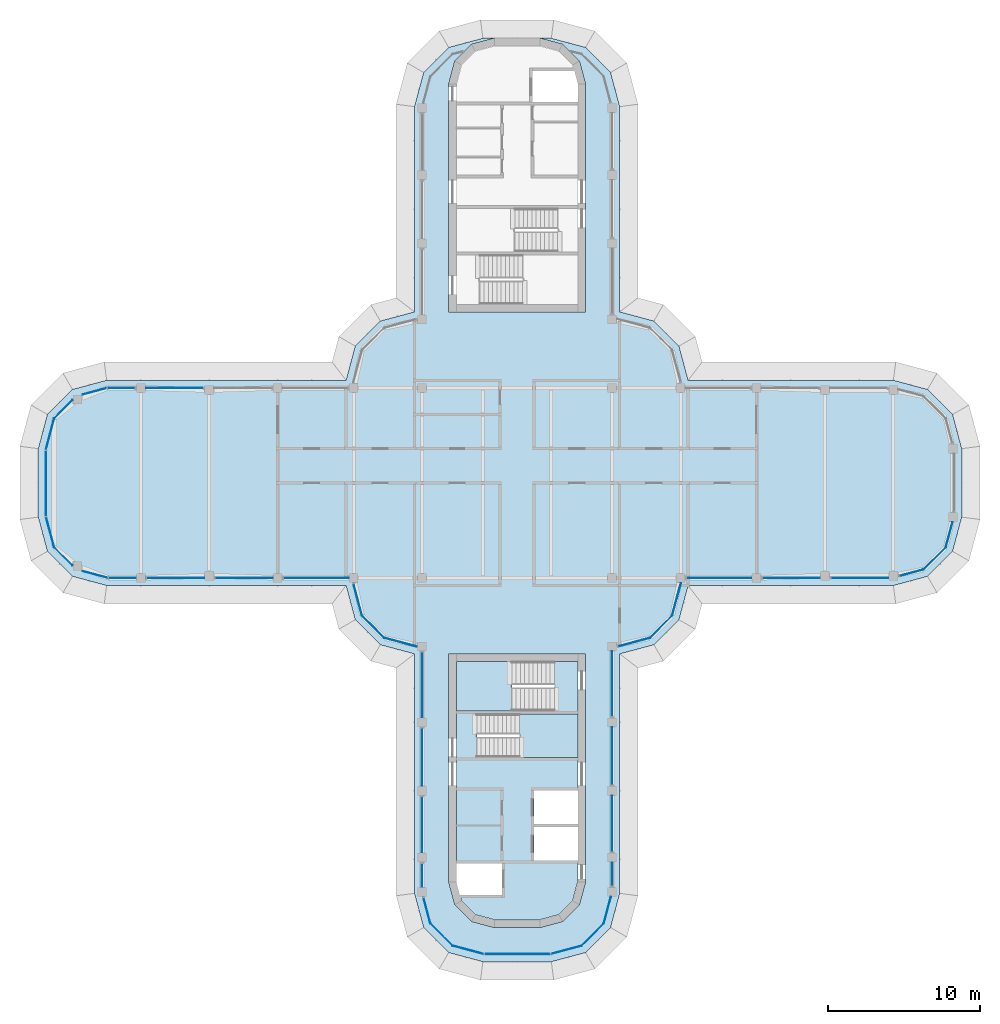
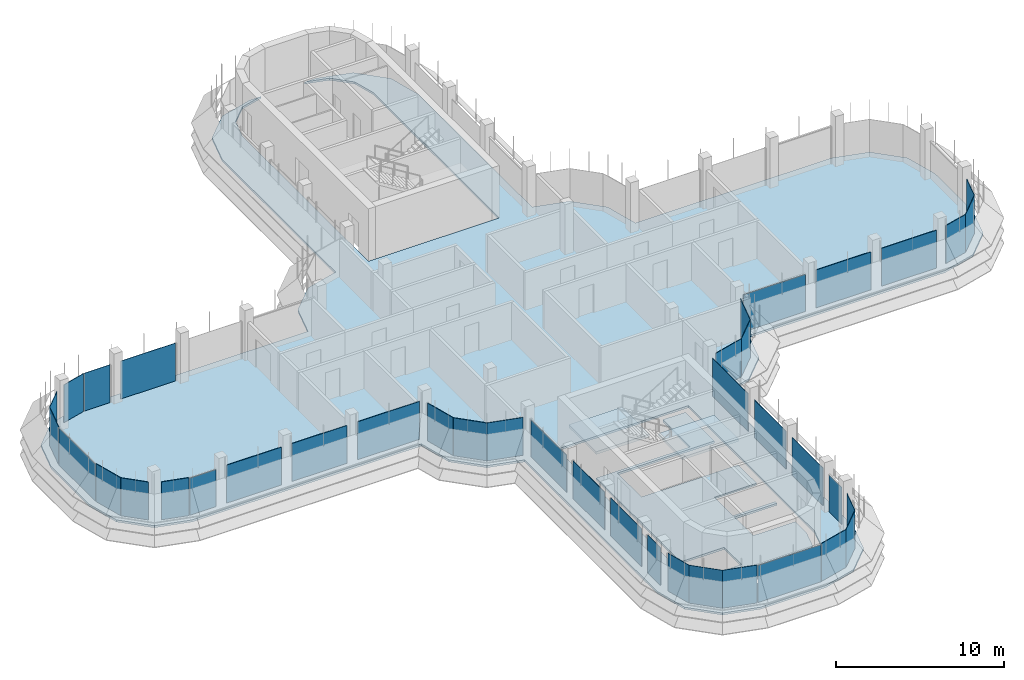
# One storey, part 11 of 19: 40 plates, 4 slabs, 30 elements without a shape of their own.
"""IFC4 building model written with IfcOpenShell, lengths in metres."""

from ifc_helpers import new_model, si_unit, direction, frame, origin, place, context, subcontext, project, spatial, polyline, outline, extrude, source, transform, mapped, material, layer, layer_set, type_object, element, aggregate, save


model = new_model("IFC4")

# Units and contexts
model_context = context("Model", 3, precision=1e-05, world=origin(), true_north=direction((0.0, 1.0)))
body_context = subcontext(model_context, "Body", "Model", "MODEL_VIEW")
ifc_project = project(units=[si_unit("LENGTHUNIT", "METRE"), si_unit("AREAUNIT", "SQUARE_METRE"), si_unit("VOLUMEUNIT", "CUBIC_METRE"), si_unit("PLANEANGLEUNIT", "RADIAN"), si_unit("MASSUNIT", "GRAM", prefix="KILO")], contexts=[model_context])

# Site, building, storey
site_placement = place(None, origin())
site = spatial("IfcSite", under=ifc_project, at=site_placement, CompositionType="ELEMENT")
building_placement = place(site_placement, origin())
building = spatial("IfcBuilding", under=site, at=building_placement, Name="Zarbagh Exchange Tower", CompositionType="ELEMENT")
storey_placement = place(building_placement, frame((0.0, 0.0, 253.60009765625)))
storey = spatial("IfcBuildingStorey", under=building, at=storey_placement, Name="L62", CompositionType="ELEMENT", Elevation=253.60009765625)

# Slabs
ifc_material_1 = material(Name="Concrete C40/50", Category="concrete")
ifc_layer_1 = layer(ifc_material_1, 0.14990234375)
ifc_layer_set_1 = layer_set([ifc_layer_1], Name="Composite floor slab 150 C40/50")
slab_type_1 = type_object("IfcSlabType", Name="Composite floor slab 150 C40/50", PredefinedType="FLOOR", material=ifc_layer_set_1)
slab_1_placement = place(storey_placement, frame((0.0, 0.0, -0.150146484375)))
element("IfcSlab", 1, at=slab_1_placement, inside=storey, type_object=slab_type_1, Name="S5 composite floor slab", PredefinedType="FLOOR", context=body_context, shape_type="SweptSolid", body=[
    extrude(outline(polyline([(-2.25, -31.5), (-4.5, -30.897216796875), (-6.147216796875, -29.25), (-6.75, -27.0), (-6.75, -11.25), (-9.0, -10.647216796875), (-10.647216796875, -9.0), (-11.25, -6.75), (-27.0, -6.75), (-29.25, -6.147216796875), (-30.897216796875, -4.5), (-31.5, -2.25), (-31.5, 2.25), (-30.897216796875, 4.5), (-29.25, 6.147216796875), (-27.0, 6.75), (-11.25, 6.75), (-10.647216796875, 9.0), (-9.0, 10.647216796875), (-6.75, 11.25), (-6.75, 24.75), (-6.147216796875, 27.0), (-4.5, 28.647216796875), (-2.25, 29.25), (-1.5, 29.25), (-3.0, 28.84814453125), (-4.09814453125, 27.75), (-4.5, 26.25), (-4.5, 11.25), (4.5, 11.25), (4.5, 26.25), (4.09814453125, 27.75), (3.0, 28.84814453125), (1.5, 29.25), (2.25, 29.25), (4.5, 28.647216796875), (6.147216796875, 27.0), (6.75, 24.75), (6.75, 11.25), (9.0, 10.647216796875), (10.647216796875, 9.0), (11.25, 6.75), (24.75, 6.75), (27.0, 6.147216796875), (28.647216796875, 4.5), (29.25, 2.25), (29.25, -2.25), (28.647216796875, -4.5), (27.0, -6.147216796875), (24.75, -6.75), (11.25, -6.75), (10.647216796875, -9.0), (9.0, -10.647216796875), (6.75, -11.25), (6.75, -27.0), (6.147216796875, -29.25), (4.5, -30.897216796875), (2.25, -31.5), (-2.25, -31.5)]), holes=[polyline([(-1.5, -29.25), (1.5, -29.25), (3.0, -28.84814453125), (4.09814453125, -27.75), (4.5, -26.25), (4.5, -11.25), (-4.5, -11.25), (-4.5, -26.25), (-4.09814453125, -27.75), (-3.0, -28.84814453125), (-1.5, -29.25)])]), origin(), (0.0, 0.0, 1.0), 0.150146484375),
])
ifc_layer_2 = layer(ifc_material_1, 0.14990234375)
ifc_layer_set_2 = layer_set([ifc_layer_2], Name="Core floor slab 150 C40/50")
slab_type_2 = type_object("IfcSlabType", Name="Core floor slab 150 C40/50", PredefinedType="FLOOR", material=ifc_layer_set_2)
slab_2_placement = place(storey_placement, frame((0.0, 0.0, -0.150146484375)))
element("IfcSlab", 2, at=slab_2_placement, inside=storey, type_object=slab_type_2, Name="S17 core S", PredefinedType="FLOOR", context=body_context, shape_type="SweptSolid", body=[
    extrude(outline(polyline([(-2.7412109375, -28.39990234375), (-3.64990234375, -27.4912109375), (-3.857666015625, -26.715087890625), (-3.754638671875, -27.10009765625), (-1.0, -27.10009765625), (-1.0, -25.050048828125), (-4.0, -25.050048828125), (-4.0, -15.0), (2.449951171875, -15.0), (2.449951171875, -11.75), (4.0, -11.75), (4.0, -15.199951171875), (-2.64990234375, -15.199951171875), (-2.64990234375, -18.050048828125), (4.0, -18.050048828125), (4.0, -20.25), (1.10009765625, -20.25), (1.10009765625, -22.449951171875), (4.0, -22.449951171875), (4.0, -22.64990234375), (1.10009765625, -22.64990234375), (1.10009765625, -24.85009765625), (4.0, -24.85009765625), (4.0, -26.18408203125), (3.64990234375, -27.4912109375), (2.7412109375, -28.39990234375), (1.43408203125, -28.75), (-1.43408203125, -28.75), (-2.7412109375, -28.39990234375)])), origin(), (0.0, 0.0, 1.0), 0.150146484375),
])

# Stair, slab
stair_type = type_object("IfcStairType", Name="Exit stair two-flight half-turn", PredefinedType="HALF_TURN_STAIR", material=ifc_material_1)
stair_1_placement = place(storey_placement, origin())
stair_1 = element("IfcStair", 3, at=stair_1_placement, inside=storey, type_object=stair_type, Name="exit stair ST3", PredefinedType="HALF_TURN_STAIR")
ifc_layer_3 = layer(ifc_material_1, 0.199951171875)
ifc_layer_set_3 = layer_set([ifc_layer_3], Name="Stair landing 200 mm")
slab_type_3 = type_object("IfcSlabType", Name="Stair landing 200 mm", PredefinedType="LANDING", material=ifc_layer_set_3)
slab_3_placement = place(storey_placement, frame((0.0, 0.0, 1.699951171875)))
slab_3 = element("IfcSlab", 4, at=slab_3_placement, type_object=slab_type_3, Name="ST3 landing 1", PredefinedType="LANDING", context=body_context, shape_type="SweptSolid", body=[
    extrude(outline(polyline([(0.14990234375, -18.050048828125), (4.0, -18.050048828125), (4.0, -15.199951171875), (0.14990234375, -15.199951171875), (0.14990234375, -18.050048828125)])), origin(), (0.0, 0.0, 1.0), 0.199951171875),
])
aggregate(stair_1, [slab_3])

stair_2_placement = place(storey_placement, origin())
stair_2 = element("IfcStair", 5, at=stair_2_placement, inside=storey, type_object=stair_type, Name="exit stair ST4", PredefinedType="HALF_TURN_STAIR")
slab_4_placement = place(storey_placement, frame((0.0, 0.0, 1.699951171875)))
slab_4 = element("IfcSlab", 6, at=slab_4_placement, type_object=slab_type_3, Name="ST4 landing 1", PredefinedType="LANDING", context=body_context, shape_type="SweptSolid", body=[
    extrude(outline(polyline([(-0.35009765625, -11.75), (-4.0, -11.75), (-4.0, -15.0), (-0.35009765625, -15.0), (-0.35009765625, -11.75)])), origin(), (0.0, 0.0, 1.0), 0.199951171875),
])
aggregate(stair_2, [slab_4])

# Curtain wall, plate
ifc_material_2 = material(Name="Anodised aluminium frame and glazing", Category="aluminium")
curtain_wall_type = type_object("IfcCurtainWallType", Name="CWB Ribbon glazing, upper zones", PredefinedType="NOTDEFINED", material=ifc_material_2)
curtain_wall_1_placement = place(storey_placement, origin())
curtain_wall_1 = element("IfcCurtainWall", 7, at=curtain_wall_1_placement, inside=storey, type_object=curtain_wall_type, Name="CWB50 curtain wall", PredefinedType="NOTDEFINED")
ifc_material_3 = material(Name="Low-e double glazed unit, 6+12+6 mm")
ifc_layer_4 = layer(ifc_material_3, 0.031982421875)
ifc_layer_set_4 = layer_set([ifc_layer_4], Name="PAB Glazing panel, Low-e double glazed unit, 6+12+6 mm")
plate_type = type_object("IfcPlateType", Name="PAB Glazing panel, Low-e double glazed unit, 6+12+6 mm", PredefinedType="CURTAIN_PANEL", material=ifc_layer_set_4)
shared_shape_1 = source(origin(), body_context, "Body", "SweptSolid", [
    extrude(outline(polyline([(0.0, -0.01611328125), (2.061279296875, -0.01611328125), (2.061279296875, 0.01611328125), (0.0, 0.01611328125), (0.0, -0.01611328125)])), origin(), (0.0, 0.0, 1.0), 2.75),
])
placement = place(storey_placement, origin())
plate_1 = element("IfcPlate", 8, at=placement, type_object=plate_type, Name="CWB50 glazing panel 1.1", PredefinedType="CURTAIN_PANEL", context=body_context, shape_type="MappedRepresentation", body=[
    mapped(shared_shape_1, transform((4.2412109375, -30.44873046875, 0.0), x_axis=(0.707106781187, 0.707106781187, 0.0), y_axis=(-0.707106781187, 0.707106781187, 0.0), z_axis=(0.0, 0.0, 1.0))),
])
aggregate(curtain_wall_1, [plate_1])

curtain_wall_2_placement = place(storey_placement, origin())
curtain_wall_2 = element("IfcCurtainWall", 9, at=curtain_wall_2_placement, inside=storey, type_object=curtain_wall_type, Name="CWB06 curtain wall", PredefinedType="NOTDEFINED")
plate_2 = element("IfcPlate", 10, at=placement, type_object=plate_type, Name="CWB06 glazing panel 1.1", PredefinedType="CURTAIN_PANEL", context=body_context, shape_type="MappedRepresentation", body=[
    mapped(shared_shape_1, transform((8.7412109375, -10.19873046875, 0.0), x_axis=(0.707106781187, 0.707106781187, 0.0), y_axis=(-0.707106781187, 0.707106781187, 0.0), z_axis=(0.0, 0.0, 1.0))),
])
aggregate(curtain_wall_2, [plate_2])

curtain_wall_3_placement = place(storey_placement, origin())
curtain_wall_3 = element("IfcCurtainWall", 11, at=curtain_wall_3_placement, inside=storey, type_object=curtain_wall_type, Name="CWB77 curtain wall", PredefinedType="NOTDEFINED")
plate_3 = element("IfcPlate", 12, at=placement, type_object=plate_type, Name="CWB77 glazing panel 1.1", PredefinedType="CURTAIN_PANEL", context=body_context, shape_type="MappedRepresentation", body=[
    mapped(shared_shape_1, transform((26.7412109375, -5.69873046875, 0.0), x_axis=(0.707106781187, 0.707106781187, 0.0), y_axis=(-0.707106781187, 0.707106781187, 0.0), z_axis=(0.0, 0.0, 1.0))),
])
aggregate(curtain_wall_3, [plate_3])

curtain_wall_4_placement = place(storey_placement, origin())
curtain_wall_4 = element("IfcCurtainWall", 13, at=curtain_wall_4_placement, inside=storey, type_object=curtain_wall_type, Name="CWB42 curtain wall", PredefinedType="NOTDEFINED")
plate_4 = element("IfcPlate", 14, at=placement, type_object=plate_type, Name="CWB42 glazing panel 1.1", PredefinedType="CURTAIN_PANEL", context=body_context, shape_type="MappedRepresentation", body=[
    mapped(shared_shape_1, transform((-10.19873046875, -8.7412109375, 0.0), x_axis=(0.707106781187, -0.707106781187, 0.0), y_axis=(0.707106781187, 0.707106781187, 0.0), z_axis=(0.0, 0.0, 1.0))),
])
aggregate(curtain_wall_4, [plate_4])

curtain_wall_5_placement = place(storey_placement, origin())
curtain_wall_5 = element("IfcCurtainWall", 15, at=curtain_wall_5_placement, inside=storey, type_object=curtain_wall_type, Name="CWB55 curtain wall", PredefinedType="NOTDEFINED")
plate_5 = element("IfcPlate", 16, at=placement, type_object=plate_type, Name="CWB55 glazing panel 1.1", PredefinedType="CURTAIN_PANEL", context=body_context, shape_type="MappedRepresentation", body=[
    mapped(shared_shape_1, transform((-5.69873046875, -28.9912109375, 0.0), x_axis=(0.707106781187, -0.707106781187, 0.0), y_axis=(0.707106781187, 0.707106781187, 0.0), z_axis=(0.0, 0.0, 1.0))),
])
aggregate(curtain_wall_5, [plate_5])

curtain_wall_6_placement = place(storey_placement, origin())
curtain_wall_6 = element("IfcCurtainWall", 17, at=curtain_wall_6_placement, inside=storey, type_object=curtain_wall_type, Name="CWB61 curtain wall", PredefinedType="NOTDEFINED")
shared_shape_2 = source(origin(), body_context, "Body", "SweptSolid", [
    extrude(outline(polyline([(0.0, -0.01611328125), (2.129638671875, -0.01611328125), (2.129638671875, 0.01611328125), (0.0, 0.01611328125), (0.0, -0.01611328125)])), origin(), (0.0, 0.0, 1.0), 2.75),
])
plate_6 = element("IfcPlate", 18, at=placement, type_object=plate_type, Name="CWB61 glazing panel 1.1", PredefinedType="CURTAIN_PANEL", context=body_context, shape_type="MappedRepresentation", body=[
    mapped(shared_shape_2, transform((-30.44873046875, 4.2412109375, 0.0), x_axis=(-0.258824779902, -0.965924289636, 0.0), y_axis=(0.965924289636, -0.258824779902, 0.0), z_axis=(0.0, 0.0, 1.0))),
])
aggregate(curtain_wall_6, [plate_6])

curtain_wall_7_placement = place(storey_placement, origin())
curtain_wall_7 = element("IfcCurtainWall", 19, at=curtain_wall_7_placement, inside=storey, type_object=curtain_wall_type, Name="CWB56 curtain wall", PredefinedType="NOTDEFINED")
plate_7 = element("IfcPlate", 20, at=placement, type_object=plate_type, Name="CWB56 glazing panel 1.1", PredefinedType="CURTAIN_PANEL", context=body_context, shape_type="MappedRepresentation", body=[
    mapped(shared_shape_2, transform((-4.2412109375, -30.44873046875, 0.0), x_axis=(0.965924289636, -0.258824779902, 0.0), y_axis=(0.258824779902, 0.965924289636, 0.0), z_axis=(0.0, 0.0, 1.0))),
])
aggregate(curtain_wall_7, [plate_7])

curtain_wall_8_placement = place(storey_placement, origin())
curtain_wall_8 = element("IfcCurtainWall", 21, at=curtain_wall_8_placement, inside=storey, type_object=curtain_wall_type, Name="CWB65 curtain wall", PredefinedType="NOTDEFINED")
shared_shape_3 = source(origin(), body_context, "Body", "SweptSolid", [
    extrude(outline(polyline([(0.0, -0.01611328125), (1.7841796875, -0.01611328125), (1.7841796875, 0.01611328125), (0.0, 0.01611328125), (0.0, -0.01611328125)])), origin(), (0.0, 0.0, 1.0), 2.68994140625),
])
plate_8 = element("IfcPlate", 22, at=placement, type_object=plate_type, Name="CWB65 glazing panel 1.1", PredefinedType="CURTAIN_PANEL", context=body_context, shape_type="MappedRepresentation", body=[
    mapped(shared_shape_3, transform((-26.874267578125, -6.25, 0.0), x_axis=(1.0, 0.0, 0.0), y_axis=(0.0, 1.0, 0.0), z_axis=(0.0, 0.0, 1.0))),
])

curtain_wall_9_placement = place(storey_placement, origin())
curtain_wall_9 = element("IfcCurtainWall", 23, at=curtain_wall_9_placement, inside=storey, type_object=curtain_wall_type, Name="CWB66 curtain wall", PredefinedType="NOTDEFINED")
shared_shape_4 = source(origin(), body_context, "Body", "SweptSolid", [
    extrude(outline(polyline([(0.0, -0.01611328125), (4.308349609375, -0.01611328125), (4.308349609375, 0.01611328125), (0.0, 0.01611328125), (0.0, -0.01611328125)])), origin(), (0.0, 0.0, 1.0), 2.68994140625),
])
plate_9 = element("IfcPlate", 24, at=placement, type_object=plate_type, Name="CWB66 glazing panel 1.1", PredefinedType="CURTAIN_PANEL", context=body_context, shape_type="MappedRepresentation", body=[
    mapped(shared_shape_4, transform((-31.0, 2.124267578125, 0.0), x_axis=(0.0, -1.0, 0.0), y_axis=(1.0, 0.0, 0.0), z_axis=(0.0, 0.0, 1.0))),
])
aggregate(curtain_wall_9, [plate_9])

curtain_wall_10_placement = place(storey_placement, origin())
curtain_wall_10 = element("IfcCurtainWall", 25, at=curtain_wall_10_placement, inside=storey, type_object=curtain_wall_type, Name="CWB57 curtain wall", PredefinedType="NOTDEFINED")
plate_10 = element("IfcPlate", 26, at=placement, type_object=plate_type, Name="CWB57 glazing panel 1.1", PredefinedType="CURTAIN_PANEL", context=body_context, shape_type="MappedRepresentation", body=[
    mapped(shared_shape_4, transform((-2.124267578125, -31.0, 0.0), x_axis=(1.0, 0.0, 0.0), y_axis=(0.0, 1.0, 0.0), z_axis=(0.0, 0.0, 1.0))),
])
aggregate(curtain_wall_10, [plate_10])

curtain_wall_11_placement = place(storey_placement, origin())
curtain_wall_11 = element("IfcCurtainWall", 27, at=curtain_wall_11_placement, inside=storey, type_object=curtain_wall_type, Name="CWB49 curtain wall", PredefinedType="NOTDEFINED")
shared_shape_5 = source(origin(), body_context, "Body", "SweptSolid", [
    extrude(outline(polyline([(0.0, -0.01611328125), (2.069580078125, -0.01611328125), (2.069580078125, 0.01611328125), (0.0, 0.01611328125), (0.0, -0.01611328125)])), origin(), (0.0, 0.0, 1.0), 2.75),
])
plate_11 = element("IfcPlate", 28, at=placement, type_object=plate_type, Name="CWB49 glazing panel 1.1", PredefinedType="CURTAIN_PANEL", context=body_context, shape_type="MappedRepresentation", body=[
    mapped(shared_shape_5, transform((2.2421875, -30.984375, 0.0), x_axis=(0.965924289636, 0.258824779902, 0.0), y_axis=(-0.258824779902, 0.965924289636, 0.0), z_axis=(0.0, 0.0, 1.0))),
])
aggregate(curtain_wall_11, [plate_11])

curtain_wall_12_placement = place(storey_placement, origin())
curtain_wall_12 = element("IfcCurtainWall", 29, at=curtain_wall_12_placement, inside=storey, type_object=curtain_wall_type, Name="CWB62 curtain wall", PredefinedType="NOTDEFINED")
plate_12 = element("IfcPlate", 30, at=placement, type_object=plate_type, Name="CWB62 glazing panel 1.1", PredefinedType="CURTAIN_PANEL", context=body_context, shape_type="MappedRepresentation", body=[
    mapped(shared_shape_5, transform((-30.984375, -2.2421875, 0.0), x_axis=(0.258824779902, -0.965924289636, 0.0), y_axis=(0.965924289636, 0.258824779902, 0.0), z_axis=(0.0, 0.0, 1.0))),
])
aggregate(curtain_wall_12, [plate_12])

curtain_wall_13_placement = place(storey_placement, origin())
curtain_wall_13 = element("IfcCurtainWall", 31, at=curtain_wall_13_placement, inside=storey, type_object=curtain_wall_type, Name="CWB58 curtain wall", PredefinedType="NOTDEFINED")
shared_shape_6 = source(origin(), body_context, "Body", "SweptSolid", [
    extrude(outline(polyline([(0.0, -0.01611328125), (1.7841796875, -0.01611328125), (1.7841796875, 0.01611328125), (0.0, 0.01611328125), (0.0, -0.01611328125)])), origin(), (0.0, 0.0, 1.0), 2.75),
])
plate_13 = element("IfcPlate", 32, at=placement, type_object=plate_type, Name="CWB58 glazing panel 4.1", PredefinedType="CURTAIN_PANEL", context=body_context, shape_type="MappedRepresentation", body=[
    mapped(shared_shape_6, transform((-25.150146484375, 6.25, 0.0), x_axis=(-1.0, 0.0, 0.0), y_axis=(0.0, -1.0, 0.0), z_axis=(0.0, 0.0, 1.0))),
])

curtain_wall_14_placement = place(storey_placement, origin())
curtain_wall_14 = element("IfcCurtainWall", 33, at=curtain_wall_14_placement, inside=storey, type_object=curtain_wall_type, Name="CWB78 curtain wall", PredefinedType="NOTDEFINED")
shared_shape_7 = source(origin(), body_context, "Body", "SweptSolid", [
    extrude(outline(polyline([(0.0, -0.01611328125), (1.70947265625, -0.01611328125), (1.70947265625, 0.01611328125), (0.0, 0.01611328125), (0.0, -0.01611328125)])), origin(), (0.0, 0.0, 1.0), 2.75),
])
plate_14 = element("IfcPlate", 34, at=placement, type_object=plate_type, Name="CWB78 glazing panel 1.1", PredefinedType="CURTAIN_PANEL", context=body_context, shape_type="MappedRepresentation", body=[
    mapped(shared_shape_7, transform((28.19873046875, -4.2412109375, 0.0), x_axis=(0.258824779902, 0.965924289636, 0.0), y_axis=(-0.965924289636, 0.258824779902, 0.0), z_axis=(0.0, 0.0, 1.0))),
])
aggregate(curtain_wall_14, [plate_14])

curtain_wall_15_placement = place(storey_placement, origin())
curtain_wall_15 = element("IfcCurtainWall", 35, at=curtain_wall_15_placement, inside=storey, type_object=curtain_wall_type, Name="CWB76 curtain wall", PredefinedType="NOTDEFINED")
shared_shape_8 = source(origin(), body_context, "Body", "SweptSolid", [
    extrude(outline(polyline([(0.0, -0.01611328125), (1.6494140625, -0.01611328125), (1.6494140625, 0.01611328125), (0.0, 0.01611328125), (0.0, -0.01611328125)])), origin(), (0.0, 0.0, 1.0), 2.75),
])
plate_15 = element("IfcPlate", 36, at=placement, type_object=plate_type, Name="CWB76 glazing panel 1.1", PredefinedType="CURTAIN_PANEL", context=body_context, shape_type="MappedRepresentation", body=[
    mapped(shared_shape_8, transform((25.14794921875, -6.125732421875, 0.0), x_axis=(0.965924289636, 0.258824779902, 0.0), y_axis=(-0.258824779902, 0.965924289636, 0.0), z_axis=(0.0, 0.0, 1.0))),
])
aggregate(curtain_wall_15, [plate_15])

curtain_wall_16_placement = place(storey_placement, origin())
curtain_wall_16 = element("IfcCurtainWall", 37, at=curtain_wall_16_placement, inside=storey, type_object=curtain_wall_type, Name="CWB52 curtain wall", PredefinedType="NOTDEFINED")
shared_shape_9 = source(origin(), body_context, "Body", "SweptSolid", [
    extrude(outline(polyline([(0.0, -0.01611328125), (3.659912109375, -0.01611328125), (3.659912109375, 0.01611328125), (0.0, 0.01611328125), (0.0, -0.01611328125)])), origin(), (0.0, 0.0, 1.0), 2.75),
])
plate_16 = element("IfcPlate", 38, at=placement, type_object=plate_type, Name="CWB52 glazing panel 2.1", PredefinedType="CURTAIN_PANEL", context=body_context, shape_type="MappedRepresentation", body=[
    mapped(shared_shape_9, transform((6.25, -24.25, 0.0), x_axis=(0.0, 1.0, 0.0), y_axis=(-1.0, 0.0, 0.0), z_axis=(0.0, 0.0, 1.0))),
])

curtain_wall_17_placement = place(storey_placement, origin())
curtain_wall_17 = element("IfcCurtainWall", 39, at=curtain_wall_17_placement, inside=storey, type_object=curtain_wall_type, Name="CWB53 curtain wall", PredefinedType="NOTDEFINED")
plate_17 = element("IfcPlate", 40, at=placement, type_object=plate_type, Name="CWB53 glazing panel 3.1", PredefinedType="CURTAIN_PANEL", context=body_context, shape_type="MappedRepresentation", body=[
    mapped(shared_shape_9, transform((-6.25, -20.650146484375, 0.0), x_axis=(0.0, -1.0, 0.0), y_axis=(1.0, 0.0, 0.0), z_axis=(0.0, 0.0, 1.0))),
])

curtain_wall_18_placement = place(storey_placement, origin())
curtain_wall_18 = element("IfcCurtainWall", 41, at=curtain_wall_18_placement, inside=storey, type_object=curtain_wall_type, Name="CWB51 curtain wall", PredefinedType="NOTDEFINED")
shared_shape_10 = source(origin(), body_context, "Body", "SweptSolid", [
    extrude(outline(polyline([(0.0, -0.01611328125), (1.81298828125, -0.01611328125), (1.81298828125, 0.01611328125), (0.0, 0.01611328125), (0.0, -0.01611328125)])), origin(), (0.0, 0.0, 1.0), 2.75),
])
plate_18 = element("IfcPlate", 42, at=placement, type_object=plate_type, Name="CWB51 glazing panel 1.1", PredefinedType="CURTAIN_PANEL", context=body_context, shape_type="MappedRepresentation", body=[
    mapped(shared_shape_10, transform((5.69873046875, -28.9912109375, 0.0), x_axis=(0.258824779902, 0.965924289636, 0.0), y_axis=(-0.965924289636, 0.258824779902, 0.0), z_axis=(0.0, 0.0, 1.0))),
])
aggregate(curtain_wall_18, [plate_18])

# Plate
shared_shape_11 = source(origin(), body_context, "Body", "SweptSolid", [
    extrude(outline(polyline([(0.0, -0.01611328125), (1.510009765625, -0.01611328125), (1.510009765625, 0.01611328125), (0.0, 0.01611328125), (0.0, -0.01611328125)])), origin(), (0.0, 0.0, 1.0), 2.68994140625),
])
plate_19 = element("IfcPlate", 43, at=placement, type_object=plate_type, Name="CWB52 glazing panel 1.1", PredefinedType="CURTAIN_PANEL", context=body_context, shape_type="MappedRepresentation", body=[
    mapped(shared_shape_11, transform((6.25, -26.5, 0.0), x_axis=(0.0, 1.0, 0.0), y_axis=(-1.0, 0.0, 0.0), z_axis=(0.0, 0.0, 1.0))),
])

shared_shape_12 = source(origin(), body_context, "Body", "SweptSolid", [
    extrude(outline(polyline([(0.0, -0.01611328125), (3.760009765625, -0.01611328125), (3.760009765625, 0.01611328125), (0.0, 0.01611328125), (0.0, -0.01611328125)])), origin(), (0.0, 0.0, 1.0), 2.75),
])
plate_20 = element("IfcPlate", 44, at=placement, type_object=plate_type, Name="CWB52 glazing panel 3.1", PredefinedType="CURTAIN_PANEL", context=body_context, shape_type="MappedRepresentation", body=[
    mapped(shared_shape_12, transform((6.25, -19.849853515625, 0.0), x_axis=(0.0, 1.0, 0.0), y_axis=(-1.0, 0.0, 0.0), z_axis=(0.0, 0.0, 1.0))),
])

# Curtain wall, plates
curtain_wall_19_placement = place(storey_placement, origin())
curtain_wall_19 = element("IfcCurtainWall", 45, at=curtain_wall_19_placement, inside=storey, type_object=curtain_wall_type, Name="CWB75 curtain wall", PredefinedType="NOTDEFINED")
plate_21 = element("IfcPlate", 46, at=placement, type_object=plate_type, Name="CWB75 glazing panel 2.1", PredefinedType="CURTAIN_PANEL", context=body_context, shape_type="MappedRepresentation", body=[
    mapped(shared_shape_12, transform((16.150146484375, -6.25, 0.0), x_axis=(1.0, 0.0, 0.0), y_axis=(0.0, 1.0, 0.0), z_axis=(0.0, 0.0, 1.0))),
])
plate_22 = element("IfcPlate", 47, at=placement, type_object=plate_type, Name="CWB75 glazing panel 3.1", PredefinedType="CURTAIN_PANEL", context=body_context, shape_type="MappedRepresentation", body=[
    mapped(shared_shape_12, transform((20.650146484375, -6.25, 0.0), x_axis=(1.0, 0.0, 0.0), y_axis=(0.0, 1.0, 0.0), z_axis=(0.0, 0.0, 1.0))),
])

# Plate
plate_23 = element("IfcPlate", 48, at=placement, type_object=plate_type, Name="CWB58 glazing panel 3.1", PredefinedType="CURTAIN_PANEL", context=body_context, shape_type="MappedRepresentation", body=[
    mapped(shared_shape_12, transform((-20.650146484375, 6.25, 0.0), x_axis=(-1.0, 0.0, 0.0), y_axis=(0.0, -1.0, 0.0), z_axis=(0.0, 0.0, 1.0))),
])

aggregate(curtain_wall_13, [plate_23, plate_13])

plate_24 = element("IfcPlate", 49, at=placement, type_object=plate_type, Name="CWB65 glazing panel 2.1", PredefinedType="CURTAIN_PANEL", context=body_context, shape_type="MappedRepresentation", body=[
    mapped(shared_shape_12, transform((-24.349853515625, -6.25, 0.0), x_axis=(1.0, 0.0, 0.0), y_axis=(0.0, 1.0, 0.0), z_axis=(0.0, 0.0, 1.0))),
])

plate_25 = element("IfcPlate", 50, at=placement, type_object=plate_type, Name="CWB65 glazing panel 3.1", PredefinedType="CURTAIN_PANEL", context=body_context, shape_type="MappedRepresentation", body=[
    mapped(shared_shape_12, transform((-19.849853515625, -6.25, 0.0), x_axis=(1.0, 0.0, 0.0), y_axis=(0.0, 1.0, 0.0), z_axis=(0.0, 0.0, 1.0))),
])

plate_26 = element("IfcPlate", 51, at=placement, type_object=plate_type, Name="CWB53 glazing panel 2.1", PredefinedType="CURTAIN_PANEL", context=body_context, shape_type="MappedRepresentation", body=[
    mapped(shared_shape_12, transform((-6.25, -16.150146484375, 0.0), x_axis=(0.0, -1.0, 0.0), y_axis=(1.0, 0.0, 0.0), z_axis=(0.0, 0.0, 1.0))),
])

shared_shape_13 = source(origin(), body_context, "Body", "SweptSolid", [
    extrude(outline(polyline([(0.0, -0.01611328125), (4.260009765625, -0.01611328125), (4.260009765625, 0.01611328125), (0.0, 0.01611328125), (0.0, -0.01611328125)])), origin(), (0.0, 0.0, 1.0), 2.75),
])
plate_27 = element("IfcPlate", 52, at=placement, type_object=plate_type, Name="CWB52 glazing panel 4.1", PredefinedType="CURTAIN_PANEL", context=body_context, shape_type="MappedRepresentation", body=[
    mapped(shared_shape_13, transform((6.25, -15.349853515625, 0.0), x_axis=(0.0, 1.0, 0.0), y_axis=(-1.0, 0.0, 0.0), z_axis=(0.0, 0.0, 1.0))),
])

aggregate(curtain_wall_16, [plate_19, plate_16, plate_20, plate_27])

plate_28 = element("IfcPlate", 53, at=placement, type_object=plate_type, Name="CWB65 glazing panel 4.1", PredefinedType="CURTAIN_PANEL", context=body_context, shape_type="MappedRepresentation", body=[
    mapped(shared_shape_13, transform((-15.349853515625, -6.25, 0.0), x_axis=(1.0, 0.0, 0.0), y_axis=(0.0, 1.0, 0.0), z_axis=(0.0, 0.0, 1.0))),
])

aggregate(curtain_wall_8, [plate_8, plate_24, plate_25, plate_28])

# Curtain wall, plate
curtain_wall_20_placement = place(storey_placement, origin())
curtain_wall_20 = element("IfcCurtainWall", 54, at=curtain_wall_20_placement, inside=storey, type_object=curtain_wall_type, Name="CWB05 curtain wall", PredefinedType="NOTDEFINED")
shared_shape_14 = source(origin(), body_context, "Body", "SweptSolid", [
    extrude(outline(polyline([(0.0, -0.01611328125), (2.1669921875, -0.01611328125), (2.1669921875, 0.01611328125), (0.0, 0.01611328125), (0.0, -0.01611328125)])), origin(), (0.0, 0.0, 1.0), 2.75),
])
plate_29 = element("IfcPlate", 55, at=placement, type_object=plate_type, Name="CWB05 glazing panel 1.1", PredefinedType="CURTAIN_PANEL", context=body_context, shape_type="MappedRepresentation", body=[
    mapped(shared_shape_14, transform((6.64794921875, -10.759765625, 0.0), x_axis=(0.965924289636, 0.258824779902, 0.0), y_axis=(-0.258824779902, 0.965924289636, 0.0), z_axis=(0.0, 0.0, 1.0))),
])
aggregate(curtain_wall_20, [plate_29])

curtain_wall_21_placement = place(storey_placement, origin())
curtain_wall_21 = element("IfcCurtainWall", 56, at=curtain_wall_21_placement, inside=storey, type_object=curtain_wall_type, Name="CWB41 curtain wall", PredefinedType="NOTDEFINED")
plate_30 = element("IfcPlate", 57, at=placement, type_object=plate_type, Name="CWB41 glazing panel 1.1", PredefinedType="CURTAIN_PANEL", context=body_context, shape_type="MappedRepresentation", body=[
    mapped(shared_shape_14, transform((-10.759765625, -6.64794921875, 0.0), x_axis=(0.258824779902, -0.965924289636, 0.0), y_axis=(0.965924289636, 0.258824779902, 0.0), z_axis=(0.0, 0.0, 1.0))),
])
aggregate(curtain_wall_21, [plate_30])

curtain_wall_22_placement = place(storey_placement, origin())
curtain_wall_22 = element("IfcCurtainWall", 58, at=curtain_wall_22_placement, inside=storey, type_object=curtain_wall_type, Name="CWB07 curtain wall", PredefinedType="NOTDEFINED")
shared_shape_15 = source(origin(), body_context, "Body", "SweptSolid", [
    extrude(outline(polyline([(0.0, -0.01611328125), (2.22705078125, -0.01611328125), (2.22705078125, 0.01611328125), (0.0, 0.01611328125), (0.0, -0.01611328125)])), origin(), (0.0, 0.0, 1.0), 2.75),
])
plate_31 = element("IfcPlate", 59, at=placement, type_object=plate_type, Name="CWB07 glazing panel 1.1", PredefinedType="CURTAIN_PANEL", context=body_context, shape_type="MappedRepresentation", body=[
    mapped(shared_shape_15, transform((10.19873046875, -8.7412109375, 0.0), x_axis=(0.258824779902, 0.965924289636, 0.0), y_axis=(-0.965924289636, 0.258824779902, 0.0), z_axis=(0.0, 0.0, 1.0))),
])
aggregate(curtain_wall_22, [plate_31])

curtain_wall_23_placement = place(storey_placement, origin())
curtain_wall_23 = element("IfcCurtainWall", 60, at=curtain_wall_23_placement, inside=storey, type_object=curtain_wall_type, Name="CWB43 curtain wall", PredefinedType="NOTDEFINED")
plate_32 = element("IfcPlate", 61, at=placement, type_object=plate_type, Name="CWB43 glazing panel 1.1", PredefinedType="CURTAIN_PANEL", context=body_context, shape_type="MappedRepresentation", body=[
    mapped(shared_shape_15, transform((-8.7412109375, -10.19873046875, 0.0), x_axis=(0.965924289636, -0.258824779902, 0.0), y_axis=(0.258824779902, 0.965924289636, 0.0), z_axis=(0.0, 0.0, 1.0))),
])
aggregate(curtain_wall_23, [plate_32])

# Plate
shared_shape_16 = source(origin(), body_context, "Body", "SweptSolid", [
    extrude(outline(polyline([(0.0, -0.01611328125), (4.260009765625, -0.01611328125), (4.260009765625, 0.01611328125), (0.0, 0.01611328125), (0.0, -0.01611328125)])), origin(), (0.0, 0.0, 1.0), 2.68994140625),
])
plate_33 = element("IfcPlate", 62, at=placement, type_object=plate_type, Name="CWB75 glazing panel 1.1", PredefinedType="CURTAIN_PANEL", context=body_context, shape_type="MappedRepresentation", body=[
    mapped(shared_shape_16, transform((11.150146484375, -6.25, 0.0), x_axis=(1.0, 0.0, 0.0), y_axis=(0.0, 1.0, 0.0), z_axis=(0.0, 0.0, 1.0))),
])

aggregate(curtain_wall_19, [plate_33, plate_21, plate_22])

plate_34 = element("IfcPlate", 63, at=placement, type_object=plate_type, Name="CWB53 glazing panel 1.1", PredefinedType="CURTAIN_PANEL", context=body_context, shape_type="MappedRepresentation", body=[
    mapped(shared_shape_16, transform((-6.25, -11.150146484375, 0.0), x_axis=(0.0, -1.0, 0.0), y_axis=(1.0, 0.0, 0.0), z_axis=(0.0, 0.0, 1.0))),
])

# Curtain wall, plate
curtain_wall_24_placement = place(storey_placement, origin())
curtain_wall_24 = element("IfcCurtainWall", 64, at=curtain_wall_24_placement, inside=storey, type_object=curtain_wall_type, Name="CWB54 curtain wall", PredefinedType="NOTDEFINED")
shared_shape_17 = source(origin(), body_context, "Body", "SweptSolid", [
    extrude(outline(polyline([(0.0, -0.01611328125), (1.7529296875, -0.01611328125), (1.7529296875, 0.01611328125), (0.0, 0.01611328125), (0.0, -0.01611328125)])), origin(), (0.0, 0.0, 1.0), 2.75),
])
plate_35 = element("IfcPlate", 65, at=placement, type_object=plate_type, Name="CWB54 glazing panel 1.1", PredefinedType="CURTAIN_PANEL", context=body_context, shape_type="MappedRepresentation", body=[
    mapped(shared_shape_17, transform((-6.152587890625, -27.2978515625, 0.0), x_axis=(0.258824779902, -0.965924289636, 0.0), y_axis=(0.965924289636, 0.258824779902, 0.0), z_axis=(0.0, 0.0, 1.0))),
])
aggregate(curtain_wall_24, [plate_35])

curtain_wall_25_placement = place(storey_placement, origin())
curtain_wall_25 = element("IfcCurtainWall", 66, at=curtain_wall_25_placement, inside=storey, type_object=curtain_wall_type, Name="CWB59 curtain wall", PredefinedType="NOTDEFINED")
shared_shape_18 = source(origin(), body_context, "Body", "SweptSolid", [
    extrude(outline(polyline([(0.0, -0.01611328125), (1.631591796875, -0.01611328125), (1.631591796875, 0.01611328125), (0.0, 0.01611328125), (0.0, -0.01611328125)])), origin(), (0.0, 0.0, 1.0), 2.75),
])
plate_36 = element("IfcPlate", 67, at=placement, type_object=plate_type, Name="CWB59 glazing panel 1.1", PredefinedType="CURTAIN_PANEL", context=body_context, shape_type="MappedRepresentation", body=[
    mapped(shared_shape_18, transform((-26.9921875, 6.234375, 0.0), x_axis=(-0.965924289636, -0.258824779902, 0.0), y_axis=(0.258824779902, -0.965924289636, 0.0), z_axis=(0.0, 0.0, 1.0))),
])
aggregate(curtain_wall_25, [plate_36])

curtain_wall_26_placement = place(storey_placement, origin())
curtain_wall_26 = element("IfcCurtainWall", 68, at=curtain_wall_26_placement, inside=storey, type_object=curtain_wall_type, Name="CWB60 curtain wall", PredefinedType="NOTDEFINED")
shared_shape_19 = source(origin(), body_context, "Body", "SweptSolid", [
    extrude(outline(polyline([(0.0, -0.01611328125), (1.6982421875, -0.01611328125), (1.6982421875, 0.01611328125), (0.0, 0.01611328125), (0.0, -0.01611328125)])), origin(), (0.0, 0.0, 1.0), 2.75),
])
plate_37 = element("IfcPlate", 69, at=placement, type_object=plate_type, Name="CWB60 glazing panel 1.1", PredefinedType="CURTAIN_PANEL", context=body_context, shape_type="MappedRepresentation", body=[
    mapped(shared_shape_19, transform((-29.248046875, 5.44189453125, 0.0), x_axis=(-0.707106781187, -0.707106781187, 0.0), y_axis=(0.707106781187, -0.707106781187, 0.0), z_axis=(0.0, 0.0, 1.0))),
])
aggregate(curtain_wall_26, [plate_37])

curtain_wall_27_placement = place(storey_placement, origin())
curtain_wall_27 = element("IfcCurtainWall", 70, at=curtain_wall_27_placement, inside=storey, type_object=curtain_wall_type, Name="CWB63 curtain wall", PredefinedType="NOTDEFINED")
plate_38 = element("IfcPlate", 71, at=placement, type_object=plate_type, Name="CWB63 glazing panel 1.1", PredefinedType="CURTAIN_PANEL", context=body_context, shape_type="MappedRepresentation", body=[
    mapped(shared_shape_19, transform((-30.44873046875, -4.2412109375, 0.0), x_axis=(0.707106781187, -0.707106781187, 0.0), y_axis=(0.707106781187, 0.707106781187, 0.0), z_axis=(0.0, 0.0, 1.0))),
])
aggregate(curtain_wall_27, [plate_38])

curtain_wall_28_placement = place(storey_placement, origin())
curtain_wall_28 = element("IfcCurtainWall", 72, at=curtain_wall_28_placement, inside=storey, type_object=curtain_wall_type, Name="CWB64 curtain wall", PredefinedType="NOTDEFINED")
shared_shape_20 = source(origin(), body_context, "Body", "SweptSolid", [
    extrude(outline(polyline([(0.0, -0.01611328125), (1.69140625, -0.01611328125), (1.69140625, 0.01611328125), (0.0, 0.01611328125), (0.0, -0.01611328125)])), origin(), (0.0, 0.0, 1.0), 2.75),
])
plate_39 = element("IfcPlate", 73, at=placement, type_object=plate_type, Name="CWB64 glazing panel 1.1", PredefinedType="CURTAIN_PANEL", context=body_context, shape_type="MappedRepresentation", body=[
    mapped(shared_shape_20, transform((-28.568115234375, -5.812255859375, 0.0), x_axis=(0.965924289636, -0.258824779902, 0.0), y_axis=(0.258824779902, 0.965924289636, 0.0), z_axis=(0.0, 0.0, 1.0))),
])
aggregate(curtain_wall_28, [plate_39])

# Plate
shared_shape_21 = source(origin(), body_context, "Body", "SweptSolid", [
    extrude(outline(polyline([(0.0, -0.01611328125), (1.510009765625, -0.01611328125), (1.510009765625, 0.01611328125), (0.0, 0.01611328125), (0.0, -0.01611328125)])), origin(), (0.0, 0.0, 1.0), 2.75),
])
plate_40 = element("IfcPlate", 74, at=placement, type_object=plate_type, Name="CWB53 glazing panel 4.1", PredefinedType="CURTAIN_PANEL", context=body_context, shape_type="MappedRepresentation", body=[
    mapped(shared_shape_21, transform((-6.25, -25.050048828125, 0.0), x_axis=(0.0, -1.0, 0.0), y_axis=(1.0, 0.0, 0.0), z_axis=(0.0, 0.0, 1.0))),
])

aggregate(curtain_wall_17, [plate_34, plate_26, plate_17, plate_40])

save(model, "model.ifc")
